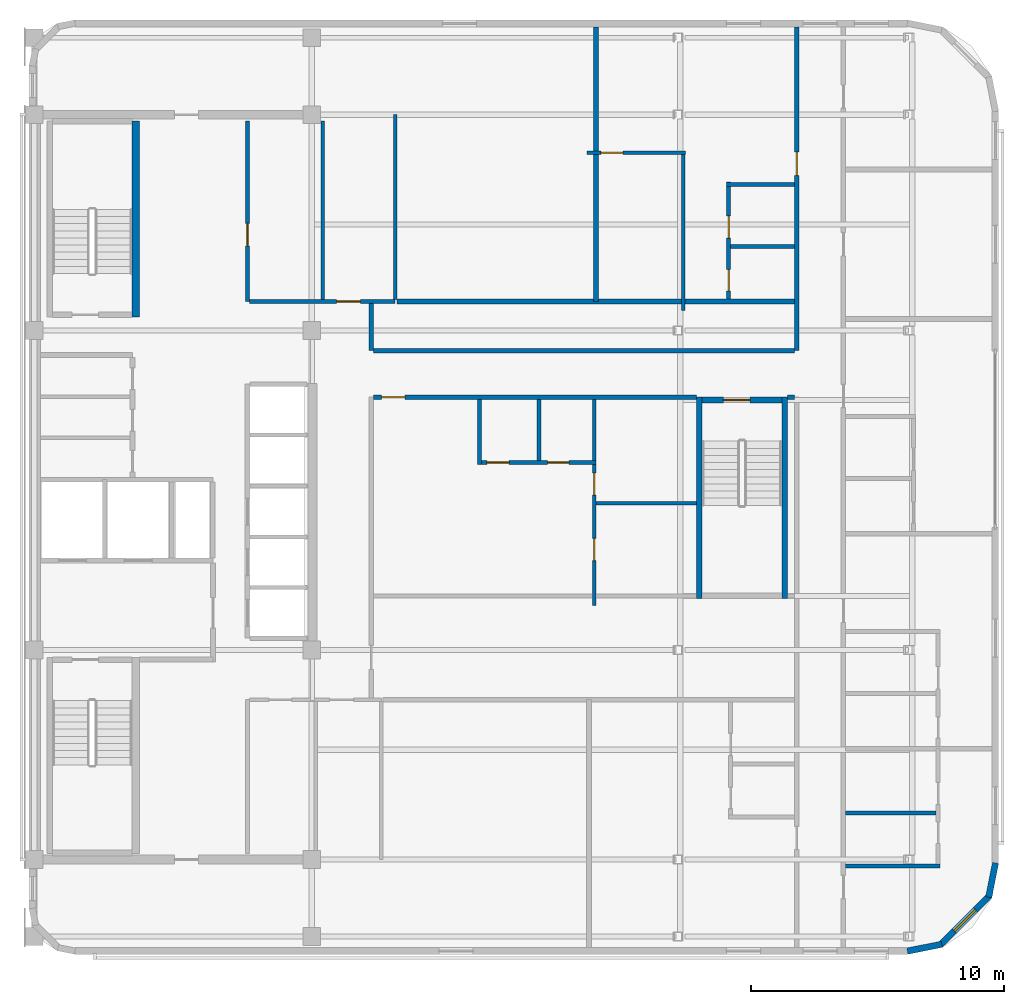
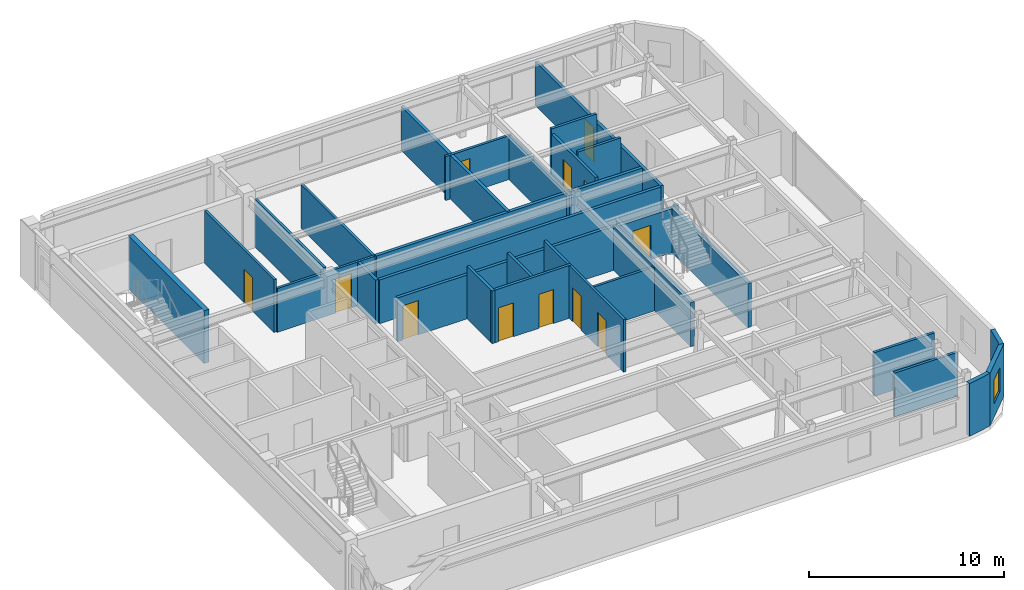
# One storey, part 5 of 11: 30 walls, 12 doors, 1 window, 13 openings.
"""IFC4 building model written with IfcOpenShell, lengths in metres."""

from ifc_helpers import new_model, si_unit, direction, frame, frame_2d, origin, place, context, subcontext, project, spatial, rectangle, extrude, material, layer, layer_set, type_object, element, fill, save


model = new_model("IFC4")

# Units and contexts
model_context = context("Model", 3, precision=1e-05, world=origin(), true_north=direction((0.0, 1.0)))
body_context = subcontext(model_context, "Body", "Model", "MODEL_VIEW")
ifc_project = project(units=[si_unit("LENGTHUNIT", "METRE"), si_unit("AREAUNIT", "SQUARE_METRE"), si_unit("VOLUMEUNIT", "CUBIC_METRE"), si_unit("PLANEANGLEUNIT", "RADIAN"), si_unit("MASSUNIT", "GRAM", prefix="KILO")], contexts=[model_context])

# Site, building, storey
site_placement = place(None, origin())
site = spatial("IfcSite", under=ifc_project, at=site_placement, CompositionType="ELEMENT")
building_placement = place(site_placement, origin())
building = spatial("IfcBuilding", under=site, at=building_placement, Name="Ochreholt Gables", CompositionType="ELEMENT")
storey_placement = place(building_placement, frame((0.0, 0.0, 278.39990234375)))
storey = spatial("IfcBuildingStorey", under=building, at=storey_placement, Name="L73", CompositionType="ELEMENT", Elevation=278.39990234375)

# Wall
ifc_material_1 = material(Name="Precast concrete 40 MPa", Category="concrete")
ifc_layer_1 = layer(ifc_material_1, 0.25, Name="Precast concrete 40 MPa")
ifc_layer_set_1 = layer_set([ifc_layer_1], Name="Precast concrete 40 MPa")
wall_type_1 = type_object("IfcWallType", Name="WALL-EXT-CNR", PredefinedType="SOLIDWALL", material=ifc_layer_set_1)
wall_1_placement = place(storey_placement, frame((58.783447265625, 5.624267578125, 0.0), z_axis=(0.0, 0.0, 1.0), x_axis=(0.980809899341, 0.19496651342, 0.0)))
element("IfcWall", 1, at=wall_1_placement, inside=storey, type_object=wall_type_1, Name="L73 Rounded Corner Wall SE-1", PredefinedType="SOLIDWALL", context=body_context, shape_type="SweptSolid", body=[
    extrude(rectangle(XDim=1.388671875, YDim=0.25, at=frame_2d((0.6943359375, 0.0))), origin(), (0.0, 0.0, 1.0), 3.300048828125),
])

# Wall, opening, window
wall_2_placement = place(storey_placement, frame((60.094970703125, 5.867919921875, 0.0), z_axis=(0.0, 0.0, 1.0), x_axis=(0.707106781187, 0.707106781187, 0.0)))
wall_2 = element("IfcWall", 2, at=wall_2_placement, inside=storey, type_object=wall_type_1, Name="L73 Rounded Corner Wall SE-2", PredefinedType="SOLIDWALL", context=body_context, shape_type="SweptSolid", body=[
    extrude(rectangle(XDim=2.7392578125, YDim=0.25, at=frame_2d((1.36962890625, 0.0))), origin(), (0.0, 0.0, 1.0), 3.300048828125),
])
opening_1_placement = place(wall_2_placement, frame((0.769775390625, 0.0, 0.85009765625)))
opening_1 = element("IfcOpeningElement", 3, at=opening_1_placement, cuts=wall_2, Name="Opening WN-3", PredefinedType="OPENING", context=body_context, shape_type="SweptSolid", body=[
    extrude(rectangle(XDim=1.199951171875, YDim=1.5, at=frame_2d((0.60009765625, 0.75))), frame((0.0, 0.135009765625, 0.0), z_axis=(0.0, -1.0, 0.0), x_axis=(1.0, 0.0, 0.0)), (0.0, 0.0, 1.0), 0.27001953125),
])
ifc_material_2 = material(Name="Triple-Glazed Thermally Broken Aluminium Window", Category="aluminium")
window_type = type_object("IfcWindowType", Name="WIN-RES-1200", PartitioningType="SINGLE_PANEL", PredefinedType="WINDOW", material=ifc_material_2)
window_placement = place(opening_1_placement, origin())
window = element("IfcWindow", 4, at=window_placement, inside=storey, type_object=window_type, Name="L73 Corner Bedroom Window SE", OverallHeight=1.5, OverallWidth=1.199951171875, PartitioningType="SINGLE_PANEL", PredefinedType="WINDOW", context=body_context, shape_type="SweptSolid", body=[
    extrude(rectangle(XDim=1.199951171875, YDim=1.5, at=frame_2d((0.60009765625, 0.75))), frame((0.0, 0.030029296875, 0.0), z_axis=(0.0, -1.0, 0.0), x_axis=(1.0, 0.0, 0.0)), (0.0, 0.0, 1.0), 0.06005859375),
])
fill(opening_1, window)

# Walls
wall_3_placement = place(storey_placement, frame((62.0048828125, 7.75439453125, 0.0), z_axis=(0.0, 0.0, 1.0), x_axis=(0.195135625965, 0.9807762678, 0.0)))
element("IfcWall", 5, at=wall_3_placement, inside=storey, type_object=wall_type_1, Name="L73 Rounded Corner Wall SE-3", PredefinedType="SOLIDWALL", context=body_context, shape_type="SweptSolid", body=[
    extrude(rectangle(XDim=1.388671875, YDim=0.25, at=frame_2d((0.6943359375, 0.0))), origin(), (0.0, 0.0, 1.0), 3.300048828125),
])
ifc_material_3 = material(Name="Fire-Rated Gypsum Acoustic Partition", Category="gypsum")
ifc_layer_2 = layer(ifc_material_3, 0.179931640625, Name="Fire-Rated Gypsum Acoustic Partition")
ifc_layer_set_2 = layer_set([ifc_layer_2], Name="Fire-Rated Gypsum Acoustic Partition")
wall_type_2 = type_object("IfcWallType", Name="WALL-INT-CR180", PredefinedType="STANDARD", material=ifc_layer_set_2)
wall_4_placement = place(storey_placement, frame((37.550048828125, 29.409912109375, 0.0), z_axis=(0.0, 0.0, 1.0), x_axis=(0.0, 1.0, 0.0)))
element("IfcWall", 6, at=wall_4_placement, inside=storey, type_object=wall_type_2, Name="L73 Interior Wall WI-C3CE2-L73", PredefinedType="STANDARD", context=body_context, shape_type="SweptSolid", body=[
    extrude(rectangle(XDim=1.86767578125, YDim=0.179931640625, at=frame_2d((0.933837890625, 0.0))), origin(), (0.0, 0.0, 1.0), 2.7431640625),
])

# Wall, opening, door
wall_5_placement = place(storey_placement, frame((54.39990234375, 29.409912109375, 0.0), z_axis=(0.0, 0.0, 1.0), x_axis=(0.0, 1.0, 0.0)))
wall_5 = element("IfcWall", 7, at=wall_5_placement, inside=storey, type_object=wall_type_2, Name="L73 Interior Wall WI-C3GW2-L73", PredefinedType="STANDARD", context=body_context, shape_type="SweptSolid", body=[
    extrude(rectangle(XDim=12.820068359375, YDim=0.179931640625, at=frame_2d((6.41015625, 0.0))), origin(), (0.0, 0.0, 1.0), 2.7431640625),
])
opening_2_placement = place(wall_5_placement, frame((6.93994140625, 0.0, 0.0)))
opening_2 = element("IfcOpeningElement", 8, at=opening_2_placement, cuts=wall_5, Name="Opening D-UN1", PredefinedType="OPENING", context=body_context, shape_type="SweptSolid", body=[
    extrude(rectangle(XDim=0.919921875, YDim=2.14990234375, at=frame_2d((0.4599609375, 1.074951171875))), frame((0.0, 0.099853515625, 0.0), z_axis=(0.0, -1.0, 0.0), x_axis=(1.0, 0.0, 0.0)), (0.0, 0.0, 1.0), 0.199951171875),
])
ifc_material_4 = material(Name="Engineered Oak Timber", Category="wood")
door_type_1 = type_object("IfcDoorType", Name="DR-INT-UNT920", OperationType="NOTDEFINED", PredefinedType="DOOR", material=ifc_material_4)
door_1_placement = place(opening_2_placement, origin())
door_1 = element("IfcDoor", 9, at=door_1_placement, inside=storey, type_object=door_type_1, Name="L73 Door D-U-L73NM2-ENT", OperationType="SINGLE_SWING_RIGHT", OverallHeight=2.14990234375, OverallWidth=0.919921875, PredefinedType="DOOR", context=body_context, shape_type="SweptSolid", body=[
    extrude(rectangle(XDim=0.919921875, YDim=2.14990234375, at=frame_2d((0.4599609375, 1.074951171875))), frame((0.0, 0.02490234375, 0.0), z_axis=(0.0, -1.0, 0.0), x_axis=(1.0, 0.0, 0.0)), (0.0, 0.0, 1.0), 0.050048828125),
])
fill(opening_2, door_1)

wall_6_placement = place(storey_placement, frame((37.639892578125, 27.56005859375, 0.0), z_axis=(0.0, 0.0, 1.0), x_axis=(1.0, 0.0, 0.0)))
wall_6 = element("IfcWall", 10, at=wall_6_placement, inside=storey, type_object=wall_type_2, Name="L73 Interior Wall WI-C3BRS1-L73", PredefinedType="STANDARD", context=body_context, shape_type="SweptSolid", body=[
    extrude(rectangle(XDim=12.7900390625, YDim=0.179931640625, at=frame_2d((6.39501953125, 0.0))), origin(), (0.0, 0.0, 1.0), 2.7431640625),
])
opening_3_placement = place(wall_6_placement, frame((0.320068359375, 0.0, 0.0)))
opening_3 = element("IfcOpeningElement", 11, at=opening_3_placement, cuts=wall_6, Name="Opening D-UN1", PredefinedType="OPENING", context=body_context, shape_type="SweptSolid", body=[
    extrude(rectangle(XDim=0.919921875, YDim=2.14990234375, at=frame_2d((0.4599609375, 1.074951171875))), frame((0.0, 0.099853515625, 0.0), z_axis=(0.0, -1.0, 0.0), x_axis=(1.0, 0.0, 0.0)), (0.0, 0.0, 1.0), 0.199951171875),
])
door_2_placement = place(opening_3_placement, origin())
door_2 = element("IfcDoor", 12, at=door_2_placement, inside=storey, type_object=door_type_1, Name="L73 Door D-U-L73SM2-ENT", OperationType="SINGLE_SWING_LEFT", OverallHeight=2.14990234375, OverallWidth=0.919921875, PredefinedType="DOOR", context=body_context, shape_type="SweptSolid", body=[
    extrude(rectangle(XDim=0.919921875, YDim=2.14990234375, at=frame_2d((0.4599609375, 1.074951171875))), frame((0.0, 0.02490234375, 0.0), z_axis=(0.0, -1.0, 0.0), x_axis=(1.0, 0.0, 0.0)), (0.0, 0.0, 1.0), 0.050048828125),
])
fill(opening_3, door_2)

# Walls
wall_7_placement = place(storey_placement, frame((54.030029296875, 27.56005859375, 0.0), z_axis=(0.0, 0.0, 1.0), x_axis=(1.0, 0.0, 0.0)))
element("IfcWall", 13, at=wall_7_placement, inside=storey, type_object=wall_type_2, Name="L73 Interior Wall WI-C3BRS1E-L73", PredefinedType="STANDARD", context=body_context, shape_type="SweptSolid", body=[
    extrude(rectangle(XDim=0.280029296875, YDim=0.179931640625, at=frame_2d((0.14013671875, 0.0))), origin(), (0.0, 0.0, 1.0), 2.7431640625),
])
wall_8_placement = place(storey_placement, frame((37.639892578125, 29.409912109375, 0.0), z_axis=(0.0, 0.0, 1.0), x_axis=(1.0, 0.0, 0.0)))
element("IfcWall", 14, at=wall_8_placement, inside=storey, type_object=wall_type_2, Name="L73 Interior Wall WI-C3BRN1-L73", PredefinedType="STANDARD", context=body_context, shape_type="SweptSolid", body=[
    extrude(rectangle(XDim=16.670166015625, YDim=0.179931640625, at=frame_2d((8.3349609375, 0.0))), origin(), (0.0, 0.0, 1.0), 2.7431640625),
])
ifc_material_5 = material(Name="Double-Stud Acoustic Demising Wall", Category="gypsum")
ifc_layer_3 = layer(ifc_material_5, 0.18505859375, Name="Double-Stud Acoustic Demising Wall")
ifc_layer_set_3 = layer_set([ifc_layer_3], Name="Double-Stud Acoustic Demising Wall")
wall_type_3 = type_object("IfcWallType", Name="WALL-INT-DM185", PredefinedType="PARTITIONING", material=ifc_layer_set_3)
wall_9_placement = place(storey_placement, frame((46.449951171875, 31.35009765625, 0.0), z_axis=(0.0, 0.0, 1.0), x_axis=(0.0, 1.0, 0.0)))
element("IfcWall", 15, at=wall_9_placement, inside=storey, type_object=wall_type_3, Name="L73 Interior Wall WI-C3NMX-L73", PredefinedType="PARTITIONING", context=body_context, shape_type="SweptSolid", body=[
    extrude(rectangle(XDim=10.8798828125, YDim=0.18505859375, at=frame_2d((5.43994140625, 0.0))), origin(), (0.0, 0.0, 1.0), 2.7431640625),
])
wall_10_placement = place(storey_placement, frame((38.572509765625, 31.35009765625, 0.0), z_axis=(0.0, 0.0, 1.0), x_axis=(1.0, 0.0, 0.0)))
element("IfcWall", 16, at=wall_10_placement, inside=storey, type_object=wall_type_3, Name="L73 Interior Wall WI-C3NMY-L73", PredefinedType="PARTITIONING", context=body_context, shape_type="SweptSolid", body=[
    extrude(rectangle(XDim=15.737548828125, YDim=0.18505859375, at=frame_2d((7.86865234375, 0.0))), origin(), (0.0, 0.0, 1.0), 2.7431640625),
])
ifc_material_6 = material(Name="Moisture-Resistant Plumbing Chase Wall", Category="gypsum")
ifc_layer_4 = layer(ifc_material_6, 0.159912109375, Name="Moisture-Resistant Plumbing Chase Wall")
ifc_layer_set_4 = layer_set([ifc_layer_4], Name="Moisture-Resistant Plumbing Chase Wall")
wall_type_4 = type_object("IfcWallType", Name="WALL-INT-PL160", PredefinedType="PLUMBINGWALL", material=ifc_layer_set_4)
wall_11_placement = place(storey_placement, frame((56.340087890625, 9.0, 0.0), z_axis=(0.0, 0.0, 1.0), x_axis=(1.0, 0.0, 0.0)))
element("IfcWall", 17, at=wall_11_placement, inside=storey, type_object=wall_type_4, Name="L73 Interior Wall WU-L73E1-WYS", PredefinedType="PLUMBINGWALL", context=body_context, shape_type="SweptSolid", body=[
    extrude(rectangle(XDim=3.744140625, YDim=0.159912109375, at=frame_2d((1.8720703125, 0.0))), origin(), (0.0, 0.0, 1.0), 2.7431640625),
])
wall_12_placement = place(storey_placement, frame((56.340087890625, 11.093017578125, 0.0), z_axis=(0.0, 0.0, 1.0), x_axis=(1.0, 0.0, 0.0)))
element("IfcWall", 18, at=wall_12_placement, inside=storey, type_object=wall_type_4, Name="L73 Interior Wall WU-L73E1-WM", PredefinedType="PLUMBINGWALL", context=body_context, shape_type="SweptSolid", body=[
    extrude(rectangle(XDim=3.584228515625, YDim=0.159912109375, at=frame_2d((1.7919921875, 0.0))), origin(), (0.0, 0.0, 1.0), 2.7431640625),
])

# Wall, openings, doors
wall_13_placement = place(storey_placement, frame((41.75, 24.972412109375, 0.0), z_axis=(0.0, 0.0, 1.0), x_axis=(1.0, 0.0, 0.0)))
wall_13 = element("IfcWall", 19, at=wall_13_placement, inside=storey, type_object=wall_type_4, Name="L73 Interior Wall WU-L73SM2-WY", PredefinedType="PLUMBINGWALL", context=body_context, shape_type="SweptSolid", body=[
    extrude(rectangle(XDim=4.7099609375, YDim=0.159912109375, at=frame_2d((2.35498046875, 0.0))), origin(), (0.0, 0.0, 1.0), 3.300048828125),
])
opening_4_placement = place(wall_13_placement, frame((0.3798828125, 0.0, 0.0)))
opening_4 = element("IfcOpeningElement", 20, at=opening_4_placement, cuts=wall_13, Name="Opening D-GN2", PredefinedType="OPENING", context=body_context, shape_type="SweptSolid", body=[
    extrude(rectangle(XDim=0.8798828125, YDim=2.1201171875, at=frame_2d((0.43994140625, 1.06005859375))), frame((0.0, 0.08984375, 0.0), z_axis=(0.0, -1.0, 0.0), x_axis=(1.0, 0.0, 0.0)), (0.0, 0.0, 1.0), 0.179931640625),
])
opening_5_placement = place(wall_13_placement, frame((2.785888671875, 0.0, 0.0)))
opening_5 = element("IfcOpeningElement", 21, at=opening_5_placement, cuts=wall_13, Name="Opening D-BT2", PredefinedType="OPENING", context=body_context, shape_type="SweptSolid", body=[
    extrude(rectangle(XDim=0.840087890625, YDim=2.1201171875, at=frame_2d((0.419921875, 1.06005859375))), frame((0.0, 0.08984375, 0.0), z_axis=(0.0, -1.0, 0.0), x_axis=(1.0, 0.0, 0.0)), (0.0, 0.0, 1.0), 0.179931640625),
])
door_type_2 = type_object("IfcDoorType", Name="DR-INT-BTH840", OperationType="NOTDEFINED", PredefinedType="DOOR", material=ifc_material_4)
door_3_placement = place(opening_5_placement, origin())
door_3 = element("IfcDoor", 22, at=door_3_placement, inside=storey, type_object=door_type_2, Name="L73 Door D-U-L73SM2-BTH", OperationType="SINGLE_SWING_LEFT", OverallHeight=2.1201171875, OverallWidth=0.840087890625, PredefinedType="DOOR", context=body_context, shape_type="SweptSolid", body=[
    extrude(rectangle(XDim=0.840087890625, YDim=2.1201171875, at=frame_2d((0.419921875, 1.06005859375))), frame((0.0, 0.02490234375, 0.0), z_axis=(0.0, -1.0, 0.0), x_axis=(1.0, 0.0, 0.0)), (0.0, 0.0, 1.0), 0.050048828125),
])
fill(opening_5, door_3)
door_type_3 = type_object("IfcDoorType", Name="DR-INT-GEN880", OperationType="NOTDEFINED", PredefinedType="DOOR", material=ifc_material_4)
door_4_placement = place(opening_4_placement, origin())
door_4 = element("IfcDoor", 23, at=door_4_placement, inside=storey, type_object=door_type_3, Name="L73 Door D-U-L73SM2-KIT", OperationType="SINGLE_SWING_RIGHT", OverallHeight=2.1201171875, OverallWidth=0.8798828125, PredefinedType="DOOR", context=body_context, shape_type="SweptSolid", body=[
    extrude(rectangle(XDim=0.8798828125, YDim=2.1201171875, at=frame_2d((0.43994140625, 1.06005859375))), frame((0.0, 0.02490234375, 0.0), z_axis=(0.0, -1.0, 0.0), x_axis=(1.0, 0.0, 0.0)), (0.0, 0.0, 1.0), 0.050048828125),
])
fill(opening_4, door_4)

# Walls
wall_14_placement = place(storey_placement, frame((41.830078125, 24.892578125, 0.0), z_axis=(0.0, 0.0, 1.0), x_axis=(0.0, 1.0, 0.0)))
element("IfcWall", 24, at=wall_14_placement, inside=storey, type_object=wall_type_4, Name="L73 Interior Wall WU-L73SM2-FY", PredefinedType="PLUMBINGWALL", context=body_context, shape_type="SweptSolid", body=[
    extrude(rectangle(XDim=2.577392578125, YDim=0.159912109375, at=frame_2d((1.28857421875, 0.0))), origin(), (0.0, 0.0, 1.0), 3.300048828125),
])
wall_15_placement = place(storey_placement, frame((44.196044921875, 25.052490234375, 0.0), z_axis=(0.0, 0.0, 1.0), x_axis=(0.0, 1.0, 0.0)))
element("IfcWall", 25, at=wall_15_placement, inside=storey, type_object=wall_type_4, Name="L73 Interior Wall WU-L73SM2-WK", PredefinedType="PLUMBINGWALL", context=body_context, shape_type="SweptSolid", body=[
    extrude(rectangle(XDim=2.41748046875, YDim=0.159912109375, at=frame_2d((1.208740234375, 0.0))), origin(), (0.0, 0.0, 1.0), 3.300048828125),
])
wall_16_placement = place(storey_placement, frame((51.6279296875, 35.989990234375, 0.0), z_axis=(0.0, 0.0, 1.0), x_axis=(1.0, 0.0, 0.0)))
element("IfcWall", 26, at=wall_16_placement, inside=storey, type_object=wall_type_4, Name="L73 Interior Wall WU-L73NM2-WYN", PredefinedType="PLUMBINGWALL", context=body_context, shape_type="SweptSolid", body=[
    extrude(rectangle(XDim=2.68212890625, YDim=0.159912109375, at=frame_2d((1.341064453125, 0.0))), origin(), (0.0, 0.0, 1.0), 3.300048828125),
])

# Wall, openings, doors
wall_17_placement = place(storey_placement, frame((51.7080078125, 31.4423828125, 0.0), z_axis=(0.0, 0.0, 1.0), x_axis=(0.0, 1.0, 0.0)))
wall_17 = element("IfcWall", 27, at=wall_17_placement, inside=storey, type_object=wall_type_4, Name="L73 Interior Wall WU-L73NM2-WX", PredefinedType="PLUMBINGWALL", context=body_context, shape_type="SweptSolid", body=[
    extrude(rectangle(XDim=4.6376953125, YDim=0.159912109375, at=frame_2d((2.31884765625, 0.0))), origin(), (0.0, 0.0, 1.0), 2.97900390625),
])
opening_6_placement = place(wall_17_placement, frame((0.327392578125, 0.0, 0.0)))
opening_6 = element("IfcOpeningElement", 28, at=opening_6_placement, cuts=wall_17, Name="Opening D-BT2", PredefinedType="OPENING", context=body_context, shape_type="SweptSolid", body=[
    extrude(rectangle(XDim=0.840087890625, YDim=2.1201171875, at=frame_2d((0.419921875, 1.06005859375))), frame((0.0, 0.08984375, 0.0), z_axis=(0.0, -1.0, 0.0), x_axis=(1.0, 0.0, 0.0)), (0.0, 0.0, 1.0), 0.179931640625),
])
opening_7_placement = place(wall_17_placement, frame((2.42041015625, 0.0, 0.0)))
opening_7 = element("IfcOpeningElement", 29, at=opening_7_placement, cuts=wall_17, Name="Opening D-GN2", PredefinedType="OPENING", context=body_context, shape_type="SweptSolid", body=[
    extrude(rectangle(XDim=0.8798828125, YDim=2.1201171875, at=frame_2d((0.43994140625, 1.06005859375))), frame((0.0, 0.08984375, 0.0), z_axis=(0.0, -1.0, 0.0), x_axis=(1.0, 0.0, 0.0)), (0.0, 0.0, 1.0), 0.179931640625),
])
door_5_placement = place(opening_6_placement, origin())
door_5 = element("IfcDoor", 30, at=door_5_placement, inside=storey, type_object=door_type_2, Name="L73 Door D-U-L73NM2-BTH", OperationType="SINGLE_SWING_LEFT", OverallHeight=2.1201171875, OverallWidth=0.840087890625, PredefinedType="DOOR", context=body_context, shape_type="SweptSolid", body=[
    extrude(rectangle(XDim=0.840087890625, YDim=2.1201171875, at=frame_2d((0.419921875, 1.06005859375))), frame((0.0, 0.02490234375, 0.0), z_axis=(0.0, -1.0, 0.0), x_axis=(1.0, 0.0, 0.0)), (0.0, 0.0, 1.0), 0.050048828125),
])
fill(opening_6, door_5)
door_6_placement = place(opening_7_placement, origin())
door_6 = element("IfcDoor", 31, at=door_6_placement, inside=storey, type_object=door_type_3, Name="L73 Door D-U-L73NM2-KIT", OperationType="SINGLE_SWING_RIGHT", OverallHeight=2.1201171875, OverallWidth=0.8798828125, PredefinedType="DOOR", context=body_context, shape_type="SweptSolid", body=[
    extrude(rectangle(XDim=0.8798828125, YDim=2.1201171875, at=frame_2d((0.43994140625, 1.06005859375))), frame((0.0, 0.02490234375, 0.0), z_axis=(0.0, -1.0, 0.0), x_axis=(1.0, 0.0, 0.0)), (0.0, 0.0, 1.0), 0.050048828125),
])
fill(opening_7, door_6)

# Wall
wall_18_placement = place(storey_placement, frame((51.7880859375, 33.532958984375, 0.0), z_axis=(0.0, 0.0, 1.0), x_axis=(1.0, 0.0, 0.0)))
element("IfcWall", 32, at=wall_18_placement, inside=storey, type_object=wall_type_4, Name="L73 Interior Wall WU-L73NM2-WM", PredefinedType="PLUMBINGWALL", context=body_context, shape_type="SweptSolid", body=[
    extrude(rectangle(XDim=2.52197265625, YDim=0.159912109375, at=frame_2d((1.260986328125, 0.0))), origin(), (0.0, 0.0, 1.0), 3.300048828125),
])

# Wall, opening, door
ifc_material_7 = material(Name="Lightweight Stud Partition", Category="gypsum")
ifc_layer_5 = layer(ifc_material_7, 0.14501953125, Name="Lightweight Stud Partition")
ifc_layer_set_5 = layer_set([ifc_layer_5], Name="Lightweight Stud Partition")
wall_type_5 = type_object("IfcWallType", Name="WALL-INT-PT145", PredefinedType="PARTITIONING", material=ifc_layer_set_5)
wall_19_placement = place(storey_placement, frame((32.64990234375, 31.35009765625, 0.0), z_axis=(0.0, 0.0, 1.0), x_axis=(0.0, 1.0, 0.0)))
wall_19 = element("IfcWall", 33, at=wall_19_placement, inside=storey, type_object=wall_type_5, Name="L73 Interior Wall WI-RCM-W-L73", PredefinedType="PARTITIONING", context=body_context, shape_type="SweptSolid", body=[
    extrude(rectangle(XDim=7.14990234375, YDim=0.14501953125, at=frame_2d((3.574951171875, 0.0))), origin(), (0.0, 0.0, 1.0), 3.300048828125),
])
opening_8_placement = place(wall_19_placement, frame((2.199951171875, 0.0, 0.0)))
opening_8 = element("IfcOpeningElement", 34, at=opening_8_placement, cuts=wall_19, Name="Opening D-SV1", PredefinedType="OPENING", context=body_context, shape_type="SweptSolid", body=[
    extrude(rectangle(XDim=0.89990234375, YDim=2.10009765625, at=frame_2d((0.449951171875, 1.050048828125))), frame((0.0, 0.08251953125, 0.0), z_axis=(0.0, -1.0, 0.0), x_axis=(1.0, 0.0, 0.0)), (0.0, 0.0, 1.0), 0.1650390625),
])
ifc_material_8 = material(Name="Hollow Metal Steel", Category="steel")
door_type_4 = type_object("IfcDoorType", Name="DR-INT-SRV900", OperationType="NOTDEFINED", PredefinedType="DOOR", material=ifc_material_8)
door_7_placement = place(opening_8_placement, origin())
door_7 = element("IfcDoor", 35, at=door_7_placement, inside=storey, type_object=door_type_4, Name="L73 Door D-RCM1-L73", OperationType="SINGLE_SWING_LEFT", OverallHeight=2.10009765625, OverallWidth=0.89990234375, PredefinedType="DOOR", context=body_context, shape_type="SweptSolid", body=[
    extrude(rectangle(XDim=0.89990234375, YDim=2.10009765625, at=frame_2d((0.449951171875, 1.050048828125))), frame((0.0, 0.02490234375, 0.0), z_axis=(0.0, -1.0, 0.0), x_axis=(1.0, 0.0, 0.0)), (0.0, 0.0, 1.0), 0.050048828125),
])
fill(opening_8, door_7)

wall_20_placement = place(storey_placement, frame((32.722412109375, 31.35009765625, 0.0), z_axis=(0.0, 0.0, 1.0), x_axis=(1.0, 0.0, 0.0)))
wall_20 = element("IfcWall", 36, at=wall_20_placement, inside=storey, type_object=wall_type_5, Name="L73 Interior Wall WI-RCM-S-L73", PredefinedType="PARTITIONING", context=body_context, shape_type="SweptSolid", body=[
    extrude(rectangle(XDim=5.777587890625, YDim=0.14501953125, at=frame_2d((2.888671875, 0.0))), origin(), (0.0, 0.0, 1.0), 2.7431640625),
])
opening_9_placement = place(wall_20_placement, frame((3.452392578125, 0.0, 0.0)))
opening_9 = element("IfcOpeningElement", 37, at=opening_9_placement, cuts=wall_20, Name="Opening D-GN1", PredefinedType="OPENING", context=body_context, shape_type="SweptSolid", body=[
    extrude(rectangle(XDim=0.949951171875, YDim=2.14990234375, at=frame_2d((0.47509765625, 1.074951171875))), frame((0.0, 0.08251953125, 0.0), z_axis=(0.0, -1.0, 0.0), x_axis=(1.0, 0.0, 0.0)), (0.0, 0.0, 1.0), 0.1650390625),
])
door_type_5 = type_object("IfcDoorType", Name="DR-INT-GEN950", OperationType="NOTDEFINED", PredefinedType="DOOR", material=ifc_material_4)
door_8_placement = place(opening_9_placement, origin())
door_8 = element("IfcDoor", 38, at=door_8_placement, inside=storey, type_object=door_type_5, Name="L73 Door D-RCM2-L73", OperationType="SINGLE_SWING_RIGHT", OverallHeight=2.14990234375, OverallWidth=0.949951171875, PredefinedType="DOOR", context=body_context, shape_type="SweptSolid", body=[
    extrude(rectangle(XDim=0.949951171875, YDim=2.14990234375, at=frame_2d((0.47509765625, 1.074951171875))), frame((0.0, 0.02490234375, 0.0), z_axis=(0.0, -1.0, 0.0), x_axis=(1.0, 0.0, 0.0)), (0.0, 0.0, 1.0), 0.050048828125),
])
fill(opening_9, door_8)

# Walls
wall_21_placement = place(storey_placement, frame((38.5, 31.422607421875, 0.0), z_axis=(0.0, 0.0, 1.0), x_axis=(0.0, 1.0, 0.0)))
element("IfcWall", 39, at=wall_21_placement, inside=storey, type_object=wall_type_5, Name="L73 Interior Wall WI-RCM-E-L73", PredefinedType="PARTITIONING", context=body_context, shape_type="SweptSolid", body=[
    extrude(rectangle(XDim=7.327392578125, YDim=0.14501953125, at=frame_2d((3.66357421875, 0.0))), origin(), (0.0, 0.0, 1.0), 2.7431640625),
])
wall_22_placement = place(storey_placement, frame((35.625, 31.422607421875, 0.0), z_axis=(0.0, 0.0, 1.0), x_axis=(0.0, 1.0, 0.0)))
element("IfcWall", 40, at=wall_22_placement, inside=storey, type_object=wall_type_5, Name="L73 Interior Wall WI-RCM-DV-L73", PredefinedType="PARTITIONING", context=body_context, shape_type="SweptSolid", body=[
    extrude(rectangle(XDim=7.077392578125, YDim=0.14501953125, at=frame_2d((3.53857421875, 0.0))), origin(), (0.0, 0.0, 1.0), 2.97900390625),
])

# Wall, openings, doors
wall_23_placement = place(storey_placement, frame((46.3798828125, 19.320068359375, 0.0), z_axis=(0.0, 0.0, 1.0), x_axis=(0.0, 1.0, 0.0)))
wall_23 = element("IfcWall", 41, at=wall_23_placement, inside=storey, type_object=wall_type_5, Name="L73 Interior Wall WU-L73SM2-MNX", PredefinedType="PARTITIONING", context=body_context, shape_type="SweptSolid", body=[
    extrude(rectangle(XDim=8.14990234375, YDim=0.14501953125, at=frame_2d((4.074951171875, 0.0))), origin(), (0.0, 0.0, 1.0), 3.300048828125),
])
opening_10_placement = place(wall_23_placement, frame((1.7724609375, 0.0, 0.0)))
opening_10 = element("IfcOpeningElement", 42, at=opening_10_placement, cuts=wall_23, Name="Opening D-BD2", PredefinedType="OPENING", context=body_context, shape_type="SweptSolid", body=[
    extrude(rectangle(XDim=0.8798828125, YDim=2.139892578125, at=frame_2d((0.43994140625, 1.06982421875))), frame((0.0, 0.08251953125, 0.0), z_axis=(0.0, -1.0, 0.0), x_axis=(1.0, 0.0, 0.0)), (0.0, 0.0, 1.0), 0.1650390625),
])
opening_11_placement = place(wall_23_placement, frame((4.358642578125, 0.0, 0.0)))
opening_11 = element("IfcOpeningElement", 43, at=opening_11_placement, cuts=wall_23, Name="Opening D-GN2", PredefinedType="OPENING", context=body_context, shape_type="SweptSolid", body=[
    extrude(rectangle(XDim=0.8798828125, YDim=2.1201171875, at=frame_2d((0.43994140625, 1.06005859375))), frame((0.0, 0.08251953125, 0.0), z_axis=(0.0, -1.0, 0.0), x_axis=(1.0, 0.0, 0.0)), (0.0, 0.0, 1.0), 0.1650390625),
])
door_type_6 = type_object("IfcDoorType", Name="DR-INT-BED880", OperationType="NOTDEFINED", PredefinedType="DOOR", material=ifc_material_4)
door_9_placement = place(opening_10_placement, origin())
door_9 = element("IfcDoor", 44, at=door_9_placement, inside=storey, type_object=door_type_6, Name="L73 Door D-U-L73SM2-BD1", OperationType="SINGLE_SWING_LEFT", OverallHeight=2.139892578125, OverallWidth=0.8798828125, PredefinedType="DOOR", context=body_context, shape_type="SweptSolid", body=[
    extrude(rectangle(XDim=0.8798828125, YDim=2.139892578125, at=frame_2d((0.43994140625, 1.06982421875))), frame((0.0, 0.02490234375, 0.0), z_axis=(0.0, -1.0, 0.0), x_axis=(1.0, 0.0, 0.0)), (0.0, 0.0, 1.0), 0.050048828125),
])
fill(opening_10, door_9)
door_10_placement = place(opening_11_placement, origin())
door_10 = element("IfcDoor", 45, at=door_10_placement, inside=storey, type_object=door_type_3, Name="L73 Door D-U-L73SM2-BD2", OperationType="SINGLE_SWING_RIGHT", OverallHeight=2.1201171875, OverallWidth=0.8798828125, PredefinedType="DOOR", context=body_context, shape_type="SweptSolid", body=[
    extrude(rectangle(XDim=0.8798828125, YDim=2.1201171875, at=frame_2d((0.43994140625, 1.06005859375))), frame((0.0, 0.02490234375, 0.0), z_axis=(0.0, -1.0, 0.0), x_axis=(1.0, 0.0, 0.0)), (0.0, 0.0, 1.0), 0.050048828125),
])
fill(opening_11, door_10)

# Walls
wall_24_placement = place(storey_placement, frame((46.4599609375, 23.35498046875, 0.0), z_axis=(0.0, 0.0, 1.0), x_axis=(1.0, 0.0, 0.0)))
element("IfcWall", 46, at=wall_24_placement, inside=storey, type_object=wall_type_5, Name="L73 Interior Wall WU-L73SM2-RDV", PredefinedType="PARTITIONING", context=body_context, shape_type="SweptSolid", body=[
    extrude(rectangle(XDim=3.969970703125, YDim=0.14501953125, at=frame_2d((1.98486328125, 0.0))), origin(), (0.0, 0.0, 1.0), 2.7431640625),
])
wall_25_placement = place(storey_placement, frame((49.907958984375, 30.989990234375, 0.0), z_axis=(0.0, 0.0, 1.0), x_axis=(0.0, 1.0, 0.0)))
element("IfcWall", 47, at=wall_25_placement, inside=storey, type_object=wall_type_5, Name="L73 Interior Wall WU-L73NM2-STW", PredefinedType="PARTITIONING", context=body_context, shape_type="SweptSolid", body=[
    extrude(rectangle(XDim=6.25, YDim=0.14501953125, at=frame_2d((3.125, 0.0))), origin(), (0.0, 0.0, 1.0), 2.7431640625),
])

# Wall, opening, door
wall_26_placement = place(storey_placement, frame((46.090087890625, 37.239990234375, 0.0), z_axis=(0.0, 0.0, 1.0), x_axis=(1.0, 0.0, 0.0)))
wall_26 = element("IfcWall", 48, at=wall_26_placement, inside=storey, type_object=wall_type_5, Name="L73 Interior Wall WU-L73NM2-STN", PredefinedType="PARTITIONING", context=body_context, shape_type="SweptSolid", body=[
    extrude(rectangle(XDim=3.89794921875, YDim=0.14501953125, at=frame_2d((1.948974609375, 0.0))), origin(), (0.0, 0.0, 1.0), 2.7431640625),
])
opening_12_placement = place(wall_26_placement, frame((0.550048828125, 0.0, 0.0)))
opening_12 = element("IfcOpeningElement", 49, at=opening_12_placement, cuts=wall_26, Name="Opening D-GN2", PredefinedType="OPENING", context=body_context, shape_type="SweptSolid", body=[
    extrude(rectangle(XDim=0.8798828125, YDim=2.1201171875, at=frame_2d((0.43994140625, 1.06005859375))), frame((0.0, 0.08251953125, 0.0), z_axis=(0.0, -1.0, 0.0), x_axis=(1.0, 0.0, 0.0)), (0.0, 0.0, 1.0), 0.1650390625),
])
door_11_placement = place(opening_12_placement, origin())
door_11 = element("IfcDoor", 50, at=door_11_placement, inside=storey, type_object=door_type_3, Name="L73 Door D-U-L73NM2-STD", OperationType="SINGLE_SWING_LEFT", OverallHeight=2.1201171875, OverallWidth=0.8798828125, PredefinedType="DOOR", context=body_context, shape_type="SweptSolid", body=[
    extrude(rectangle(XDim=0.8798828125, YDim=2.1201171875, at=frame_2d((0.43994140625, 1.06005859375))), frame((0.0, 0.02490234375, 0.0), z_axis=(0.0, -1.0, 0.0), x_axis=(1.0, 0.0, 0.0)), (0.0, 0.0, 1.0), 0.050048828125),
])
fill(opening_12, door_11)

# Walls
ifc_material_9 = material(Name="Concrete 60 MPa", Category="concrete")
ifc_layer_6 = layer(ifc_material_9, 0.300048828125, Name="Concrete 60 MPa")
ifc_layer_set_6 = layer_set([ifc_layer_6], Name="Concrete 60 MPa")
wall_type_6 = type_object("IfcWallType", Name="WALL-SPN-300", PredefinedType="SHEAR", material=ifc_layer_set_6)
wall_27_placement = place(storey_placement, frame((28.22998046875, 30.739990234375, 0.0), z_axis=(0.0, 0.0, 1.0), x_axis=(0.0, 1.0, 0.0)))
element("IfcWall", 51, at=wall_27_placement, inside=storey, type_object=wall_type_6, Name="L73 Core North Spine Shear Wall", PredefinedType="SHEAR", context=body_context, shape_type="SweptSolid", body=[
    extrude(rectangle(XDim=7.760009765625, YDim=0.300048828125, at=frame_2d((3.8798828125, 0.0))), origin(), (0.0, 0.0, 1.0), 3.300048828125),
])
ifc_material_10 = material(Name="Concrete 50 MPa", Category="concrete")
ifc_layer_7 = layer(ifc_material_10, 0.219970703125, Name="Concrete 50 MPa")
ifc_layer_set_7 = layer_set([ifc_layer_7], Name="Concrete 50 MPa")
wall_type_7 = type_object("IfcWallType", Name="WALL-STW-220", PredefinedType="SHEAR", material=ifc_layer_set_7)
for number, where, z_axis, x_axis, name in (
    (52, (50.5400390625, 19.580078125, 0.0), (0.0, 0.0, 1.0), (0.0, 1.0, 0.0), "L73 Feature Stair ST-C7 West Wall"),
    (53, (53.919921875, 19.580078125, 0.0), (0.0, 0.0, 1.0), (0.0, 1.0, 0.0), "L73 Feature Stair ST-C7 East Wall"),
):
    element("IfcWall", number, at=place(storey_placement, frame(where, z_axis=z_axis, x_axis=x_axis)), inside=storey, type_object=wall_type_7, Name=name, PredefinedType="SHEAR", context=body_context, shape_type="SweptSolid", body=[
        extrude(rectangle(XDim=7.97998046875, YDim=0.219970703125, at=frame_2d((3.989990234375, 0.0))), origin(), (0.0, 0.0, 1.0), 2.761474609375),
    ])

# Wall, opening, door
wall_28_placement = place(storey_placement, frame((50.64990234375, 27.449951171875, 0.0), z_axis=(0.0, 0.0, 1.0), x_axis=(1.0, 0.0, 0.0)))
wall_28 = element("IfcWall", 54, at=wall_28_placement, inside=storey, type_object=wall_type_7, Name="L73 Feature Stair ST-C7 North Wall", PredefinedType="SHEAR", context=body_context, shape_type="SweptSolid", body=[
    extrude(rectangle(XDim=3.16015625, YDim=0.219970703125, at=frame_2d((1.580078125, 0.0))), origin(), (0.0, 0.0, 1.0), 2.761474609375),
])
opening_13_placement = place(wall_28_placement, frame((0.85009765625, 0.0, 0.0)))
opening_13 = element("IfcOpeningElement", 55, at=opening_13_placement, cuts=wall_28, Name="Opening D-STC", PredefinedType="OPENING", context=body_context, shape_type="SweptSolid", body=[
    extrude(rectangle(XDim=1.050048828125, YDim=2.14990234375, at=frame_2d((0.52490234375, 1.074951171875))), frame((0.0, 0.119873046875, 0.0), z_axis=(0.0, -1.0, 0.0), x_axis=(1.0, 0.0, 0.0)), (0.0, 0.0, 1.0), 0.239990234375),
])
door_type_7 = type_object("IfcDoorType", Name="DR-INT-ST1050", OperationType="NOTDEFINED", PredefinedType="DOOR", material=ifc_material_8)
door_12_placement = place(opening_13_placement, frame((1.050048828125, 0.0, 0.0), z_axis=(0.0, 0.0, 1.0), x_axis=(-1.0, 0.0, 0.0)))
door_12 = element("IfcDoor", 56, at=door_12_placement, inside=storey, type_object=door_type_7, Name="L73 Door D-FST-L73", OperationType="SINGLE_SWING_LEFT", OverallHeight=2.14990234375, OverallWidth=1.050048828125, PredefinedType="DOOR", context=body_context, shape_type="SweptSolid", body=[
    extrude(rectangle(XDim=1.050048828125, YDim=2.14990234375, at=frame_2d((0.52490234375, 1.074951171875))), frame((0.0, 0.02490234375, 0.0), z_axis=(0.0, -1.0, 0.0), x_axis=(1.0, 0.0, 0.0)), (0.0, 0.0, 1.0), 0.050048828125),
])
fill(opening_13, door_12)

save(model, "model.ifc")
